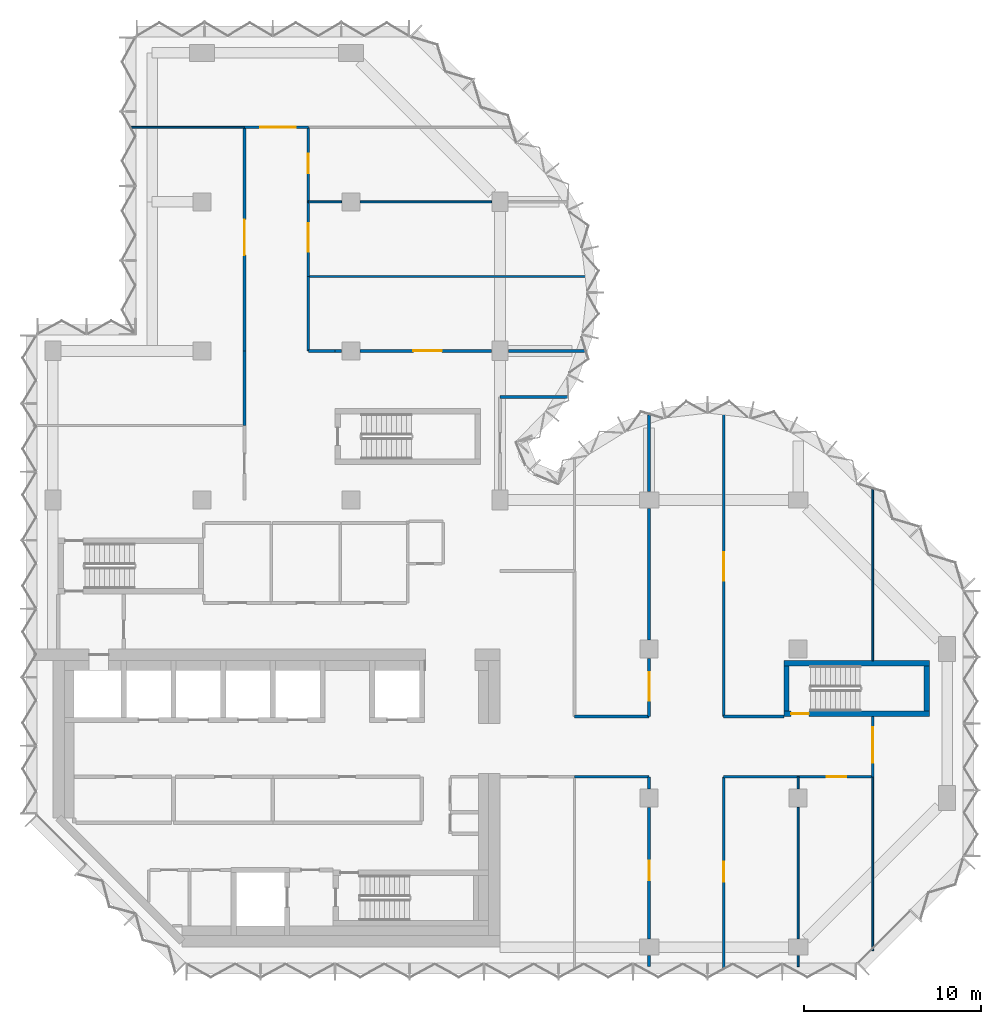
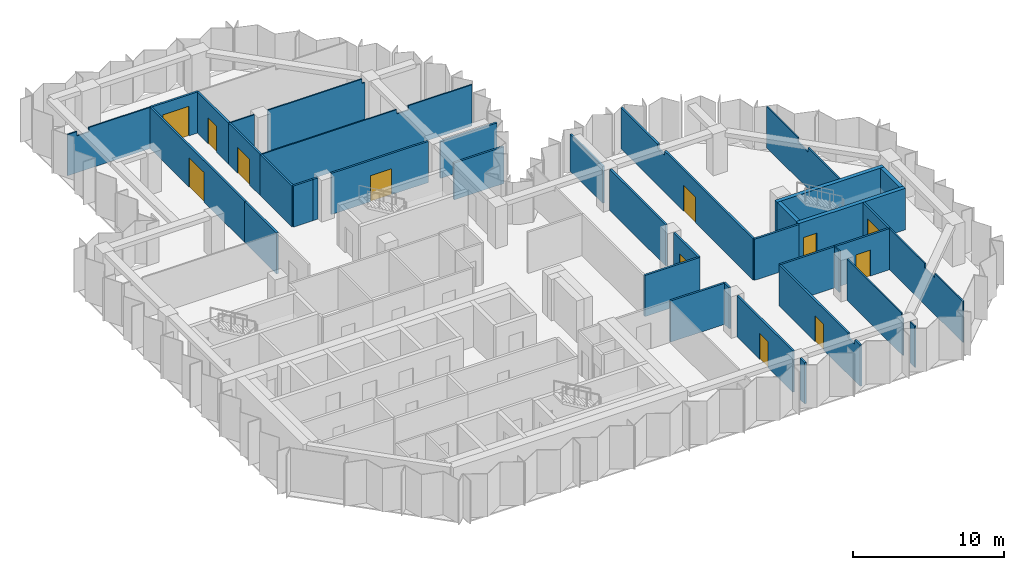
# One storey, part 7 of 10: 38 walls, 12 doors, 12 openings.
"""IFC4 building model written with IfcOpenShell, lengths in metres."""

from ifc_helpers import new_model, si_unit, direction, frame, frame_2d, origin, place, context, subcontext, project, spatial, polyline, rectangle, outline, extrude, material, layer, layer_set, type_object, element, fill, save


model = new_model("IFC4")

# Units and contexts
model_context = context("Model", 3, precision=1e-05, world=origin(), true_north=direction((0.0, 1.0)))
body_context = subcontext(model_context, "Body", "Model", "MODEL_VIEW")
ifc_project = project(units=[si_unit("LENGTHUNIT", "METRE"), si_unit("AREAUNIT", "SQUARE_METRE"), si_unit("VOLUMEUNIT", "CUBIC_METRE"), si_unit("PLANEANGLEUNIT", "RADIAN"), si_unit("MASSUNIT", "GRAM", prefix="KILO")], contexts=[model_context])

# Site, building, storey
site_placement = place(None, origin())
site = spatial("IfcSite", under=ifc_project, at=site_placement, CompositionType="ELEMENT")
building_placement = place(site_placement, origin())
building = spatial("IfcBuilding", under=site, at=building_placement, Name="Brevane Broadcast Tower", CompositionType="ELEMENT")
storey_placement = place(building_placement, frame((0.0, 0.0, 195.60009765625)))
storey = spatial("IfcBuildingStorey", under=building, at=storey_placement, Name="L49", CompositionType="ELEMENT", Elevation=195.60009765625)

# Wall, opening, door
ifc_material_1 = material(Name="Concrete C60/75", Category="concrete")
ifc_layer_1 = layer(ifc_material_1, 0.300048828125)
ifc_layer_set_1 = layer_set([ifc_layer_1], Name="Core wall 300 mm C60/75")
wall_type_1 = type_object("IfcWallType", Name="Core wall 300 mm C60/75", PredefinedType="SHEAR", material=ifc_layer_set_1)
wall_1_placement = place(storey_placement, frame((49.39990234375, 13.14990234375, 0.0), z_axis=(0.0, 0.0, 1.0), x_axis=(-1.0, 0.0, 0.0)))
wall_1 = element("IfcWall", 1, at=wall_1_placement, inside=storey, type_object=wall_type_1, Name="L49 stair wall ST-4-S", PredefinedType="SHEAR", context=body_context, shape_type="SweptSolid", body=[
    extrude(rectangle(XDim=8.199951171875, YDim=0.300048828125, at=frame_2d((4.10009765625, 0.0))), origin(), (0.0, 0.0, 1.0), 3.349853515625),
])
opening_1_placement = place(wall_1_placement, frame((6.800048828125, 0.0, 0.0)))
opening_1 = element("IfcOpeningElement", 2, at=opening_1_placement, cuts=wall_1, Name="Opening L49-K13", PredefinedType="OPENING", context=body_context, shape_type="SweptSolid", body=[
    extrude(rectangle(XDim=1.0, YDim=2.10009765625, at=frame_2d((0.5, 1.050048828125))), frame((0.0, 0.159912109375, 0.0), z_axis=(0.0, -1.0, 0.0), x_axis=(1.0, 0.0, 0.0)), (0.0, 0.0, 1.0), 0.320068359375),
])
ifc_material_2 = material(Name="Steel", Category="steel")
door_type_1 = type_object("IfcDoorType", Name="Stair door 1000 x 2100", OperationType="SINGLE_SWING_LEFT", PredefinedType="DOOR", material=ifc_material_2)
door_1_placement = place(opening_1_placement, origin())
door_1 = element("IfcDoor", 3, at=door_1_placement, inside=storey, type_object=door_type_1, Name="Door L49-K13", OperationType="SINGLE_SWING_LEFT", OverallHeight=2.10009765625, OverallWidth=1.0, PredefinedType="DOOR", context=body_context, shape_type="SweptSolid", body=[
    extrude(rectangle(XDim=1.0, YDim=2.10009765625, at=frame_2d((0.5, 1.050048828125))), frame((0.0, 0.02490234375, 0.0), z_axis=(0.0, -1.0, 0.0), x_axis=(1.0, 0.0, 0.0)), (0.0, 0.0, 1.0), 0.050048828125),
])
fill(opening_1, door_1)

# Walls
wall_2_placement = place(storey_placement, frame((41.199951171875, 16.0, 0.0), z_axis=(0.0, 0.0, 1.0), x_axis=(1.0, 0.0, 0.0)))
element("IfcWall", 4, at=wall_2_placement, inside=storey, type_object=wall_type_1, Name="L49 stair wall ST-4-N", PredefinedType="SHEAR", context=body_context, shape_type="SweptSolid", body=[
    extrude(rectangle(XDim=8.199951171875, YDim=0.300048828125, at=frame_2d((4.10009765625, 0.0))), origin(), (0.0, 0.0, 1.0), 3.349853515625),
])
for number, where, z_axis, x_axis, name in (
    (5, (41.35009765625, 13.300048828125, 0.0), (0.0, 0.0, 1.0), (0.0, 1.0, 0.0), "L49 stair wall ST-4-W"),
    (6, (49.25, 13.300048828125, 0.0), (0.0, 0.0, 1.0), (0.0, 1.0, 0.0), "L49 stair wall ST-4-E"),
):
    element("IfcWall", number, at=place(storey_placement, frame(where, z_axis=z_axis, x_axis=x_axis)), inside=storey, type_object=wall_type_1, Name=name, PredefinedType="SHEAR", context=body_context, shape_type="SweptSolid", body=[
        extrude(rectangle(XDim=2.550048828125, YDim=0.300048828125, at=frame_2d((1.27490234375, 0.0))), origin(), (0.0, 0.0, 1.0), 3.349853515625),
    ])
ifc_material_3 = material(Name="Gypsum board partition")
ifc_layer_2 = layer(ifc_material_3, 0.10009765625)
ifc_layer_set_2 = layer_set([ifc_layer_2], Name="PARTITION 100 STUD")
wall_type_2 = type_object("IfcWallType", Name="PARTITION 100 STUD", PredefinedType="PARTITIONING", material=ifc_layer_set_2)
wall_3_placement = place(storey_placement, frame((46.199951171875, -0.199951171875, 0.0), z_axis=(0.0, 0.0, 1.0), x_axis=(0.0, 1.0, 0.0)))
element("IfcWall", 7, at=wall_3_placement, inside=storey, type_object=wall_type_2, Name="Partition G15-013", PredefinedType="PARTITIONING", context=body_context, shape_type="SweptSolid", body=[
    extrude(outline(polyline([(0.0, 0.0), (9.800048828125, 0.0), (9.800048828125, 3.329833984375), (5.065673828125, 3.329833984375), (5.063720703125, 2.97998046875), (3.736328125, 2.97998046875), (3.734375, 3.329833984375), (0.0, 3.329833984375), (0.0, 0.0)])), frame((0.0, 0.050048828125, 0.0), z_axis=(0.0, -1.0, 0.0), x_axis=(1.0, 0.0, 0.0)), (0.0, 0.0, 1.0), 0.10009765625),
])
wall_4_placement = place(storey_placement, frame((46.199951171875, 16.14990234375, 0.0), z_axis=(0.0, 0.0, 1.0), x_axis=(0.0, 1.0, 0.0)))
element("IfcWall", 8, at=wall_4_placement, inside=storey, type_object=wall_type_2, Name="Partition G15-014", PredefinedType="PARTITIONING", context=body_context, shape_type="SweptSolid", body=[
    extrude(outline(polyline([(0.0, 0.0), (9.655517578125, 0.0), (9.655517578125, 3.329833984375), (9.25, 3.329833984375), (5.515625, 3.329833984375), (5.513671875, 2.97998046875), (4.186279296875, 2.97998046875), (4.184326171875, 3.329833984375), (0.0, 3.329833984375), (0.0, 0.0)])), frame((0.0, 0.050048828125, 0.0), z_axis=(0.0, -1.0, 0.0), x_axis=(1.0, 0.0, 0.0)), (0.0, 0.0, 1.0), 0.10009765625),
])
wall_5_placement = place(storey_placement, frame((42.0, 9.60009765625, 0.0), z_axis=(0.0, 0.0, 1.0), x_axis=(0.0, -1.0, 0.0)))
element("IfcWall", 9, at=wall_5_placement, inside=storey, type_object=wall_type_2, Name="Partition G15-020", PredefinedType="PARTITIONING", context=body_context, shape_type="SweptSolid", body=[
    extrude(rectangle(XDim=0.68017578125, YDim=0.10009765625, at=frame_2d((0.340087890625, 0.0))), origin(), (0.0, 0.0, 1.0), 3.329833984375),
])
wall_6_placement = place(storey_placement, frame((42.0, 7.8798828125, 0.0), z_axis=(0.0, 0.0, 1.0), x_axis=(0.0, -1.0, 0.0)))
element("IfcWall", 10, at=wall_6_placement, inside=storey, type_object=wall_type_2, Name="Partition G15-021", PredefinedType="PARTITIONING", context=body_context, shape_type="SweptSolid", body=[
    extrude(outline(polyline([(0.0, 0.0), (7.409912109375, 0.0), (7.409912109375, 2.97998046875), (7.21630859375, 2.97998046875), (7.21435546875, 3.329833984375), (0.0, 3.329833984375), (0.0, 0.0)])), frame((0.0, 0.050048828125, 0.0), z_axis=(0.0, -1.0, 0.0), x_axis=(1.0, 0.0, 0.0)), (0.0, 0.0, 1.0), 0.10009765625),
])
wall_7_placement = place(storey_placement, frame((42.0, -0.469970703125, 0.0), z_axis=(0.0, 0.0, 1.0), x_axis=(0.0, -1.0, 0.0)))
element("IfcWall", 11, at=wall_7_placement, inside=storey, type_object=wall_type_2, Name="Partition G15-022", PredefinedType="PARTITIONING", context=body_context, shape_type="SweptSolid", body=[
    extrude(rectangle(XDim=0.630126953125, YDim=0.10009765625, at=frame_2d((0.31494140625, 0.0))), origin(), (0.0, 0.0, 1.0), 3.329833984375),
])
wall_8_placement = place(storey_placement, frame((10.800048828125, 46.199951171875, 0.0), z_axis=(0.0, 0.0, 1.0), x_axis=(-1.0, 0.0, 0.0)))
element("IfcWall", 12, at=wall_8_placement, inside=storey, type_object=wall_type_2, Name="Partition G15-038", PredefinedType="PARTITIONING", context=body_context, shape_type="SweptSolid", body=[
    extrude(outline(polyline([(0.0, 0.0), (6.3740234375, 0.0), (6.3740234375, 3.329833984375), (6.300048828125, 3.329833984375), (5.64990234375, 3.329833984375), (5.64794921875, 2.97998046875), (4.751953125, 2.97998046875), (4.75, 3.329833984375), (0.0, 3.329833984375), (0.0, 0.0)])), frame((0.0, 0.050048828125, 0.0), z_axis=(0.0, -1.0, 0.0), x_axis=(1.0, 0.0, 0.0)), (0.0, 0.0, 1.0), 0.10009765625),
])
wall_9_placement = place(storey_placement, frame((14.39990234375, 37.800048828125, 0.0), z_axis=(0.0, 0.0, 1.0), x_axis=(1.0, 0.0, 0.0)))
element("IfcWall", 13, at=wall_9_placement, inside=storey, type_object=wall_type_2, Name="Partition G15-041", PredefinedType="PARTITIONING", context=body_context, shape_type="SweptSolid", body=[
    extrude(outline(polyline([(0.0, 0.0), (16.1259765625, 0.0), (16.1259765625, 3.329833984375), (15.8427734375, 3.329833984375), (11.25, 3.329833984375), (11.248046875, 2.97998046875), (10.35205078125, 2.97998046875), (10.35009765625, 3.329833984375), (0.0, 3.329833984375), (0.0, 0.0)])), frame((0.0, 0.050048828125, 0.0), z_axis=(0.0, -1.0, 0.0), x_axis=(1.0, 0.0, 0.0)), (0.0, 0.0, 1.0), 0.10009765625),
])
wall_10_placement = place(storey_placement, frame((14.39990234375, 42.0, 0.0), z_axis=(0.0, 0.0, 1.0), x_axis=(1.0, 0.0, 0.0)))
element("IfcWall", 14, at=wall_10_placement, inside=storey, type_object=wall_type_2, Name="Partition G15-042", PredefinedType="PARTITIONING", context=body_context, shape_type="SweptSolid", body=[
    extrude(rectangle(XDim=1.880126953125, YDim=0.10009765625, at=frame_2d((0.93994140625, 0.0))), origin(), (0.0, 0.0, 1.0), 3.329833984375),
])
wall_11_placement = place(storey_placement, frame((17.320068359375, 42.0, 0.0), z_axis=(0.0, 0.0, 1.0), x_axis=(1.0, 0.0, 0.0)))
element("IfcWall", 15, at=wall_11_placement, inside=storey, type_object=wall_type_2, Name="Partition G15-043", PredefinedType="PARTITIONING", context=body_context, shape_type="SweptSolid", body=[
    extrude(outline(polyline([(0.0, 0.0), (7.409912109375, 0.0), (7.409912109375, 2.97998046875), (7.21630859375, 2.97998046875), (7.21435546875, 3.329833984375), (0.0, 3.329833984375), (0.0, 0.0)])), frame((0.0, 0.050048828125, 0.0), z_axis=(0.0, -1.0, 0.0), x_axis=(1.0, 0.0, 0.0)), (0.0, 0.0, 1.0), 0.10009765625),
])
ifc_layer_3 = layer(ifc_material_3, 0.14990234375)
ifc_layer_set_3 = layer_set([ifc_layer_3], Name="PARTITION 150 EI 60")
wall_type_3 = type_object("IfcWallType", Name="PARTITION 150 EI 60", PredefinedType="PARTITIONING", material=ifc_layer_set_3)
wall_12_placement = place(storey_placement, frame((25.199951171875, 31.0, 0.0), z_axis=(0.0, 0.0, 1.0), x_axis=(1.0, 0.0, 0.0)))
element("IfcWall", 16, at=wall_12_placement, inside=storey, type_object=wall_type_3, Name="Partition G15-006", PredefinedType="PARTITIONING", context=body_context, shape_type="SweptSolid", body=[
    extrude(rectangle(XDim=3.80615234375, YDim=0.14990234375, at=frame_2d((1.903076171875, 0.0))), origin(), (0.0, 0.0, 1.0), 2.97998046875),
])

# Wall, opening, door
wall_13_placement = place(storey_placement, frame((46.199951171875, 13.0, 0.0), z_axis=(0.0, 0.0, 1.0), x_axis=(0.0, -1.0, 0.0)))
wall_13 = element("IfcWall", 17, at=wall_13_placement, inside=storey, type_object=wall_type_3, Name="Partition G15-007", PredefinedType="PARTITIONING", context=body_context, shape_type="SweptSolid", body=[
    extrude(rectangle(XDim=3.39990234375, YDim=0.14990234375, at=frame_2d((1.699951171875, 0.0))), origin(), (0.0, 0.0, 1.0), 3.329833984375),
])
opening_2_placement = place(wall_13_placement, frame((0.60009765625, 0.0, 0.0)))
opening_2 = element("IfcOpeningElement", 18, at=opening_2_placement, cuts=wall_13, Name="Opening D24-002", PredefinedType="OPENING", context=body_context, shape_type="SweptSolid", body=[
    extrude(rectangle(XDim=2.0, YDim=2.39990234375, at=frame_2d((1.0, 1.199951171875))), frame((0.0, 0.0849609375, 0.0), z_axis=(0.0, -1.0, 0.0), x_axis=(1.0, 0.0, 0.0)), (0.0, 0.0, 1.0), 0.169921875),
])
ifc_material_4 = material(Name="Fire-rated timber door leaf", Category="wood")
door_type_2 = type_object("IfcDoorType", Name="DOOR DOUBLE 2000 FD30S", OperationType="DOUBLE_DOOR_SINGLE_SWING", PredefinedType="DOOR", material=ifc_material_4)
door_2_placement = place(opening_2_placement, origin())
door_2 = element("IfcDoor", 19, at=door_2_placement, inside=storey, type_object=door_type_2, Name="Door D24-002", OperationType="DOUBLE_DOOR_SINGLE_SWING", OverallHeight=2.39990234375, OverallWidth=2.0, PredefinedType="DOOR", context=body_context, shape_type="SweptSolid", body=[
    extrude(rectangle(XDim=2.0, YDim=2.39990234375, at=frame_2d((1.0, 1.199951171875))), frame((0.0, 0.02490234375, 0.0), z_axis=(0.0, -1.0, 0.0), x_axis=(1.0, 0.0, 0.0)), (0.0, 0.0, 1.0), 0.050048828125),
])
fill(opening_2, door_2)

# Walls
wall_14_placement = place(storey_placement, frame((33.60009765625, 9.60009765625, 0.0), z_axis=(0.0, 0.0, 1.0), x_axis=(-1.0, 0.0, 0.0)))
element("IfcWall", 20, at=wall_14_placement, inside=storey, type_object=wall_type_3, Name="Partition G15-008", PredefinedType="PARTITIONING", context=body_context, shape_type="SweptSolid", body=[
    extrude(rectangle(XDim=4.2001953125, YDim=0.14990234375, at=frame_2d((2.10009765625, 0.0))), origin(), (0.0, 0.0, 1.0), 3.329833984375),
])
wall_15_placement = place(storey_placement, frame((42.0, 9.60009765625, 0.0), z_axis=(0.0, 0.0, 1.0), x_axis=(-1.0, 0.0, 0.0)))
element("IfcWall", 21, at=wall_15_placement, inside=storey, type_object=wall_type_3, Name="Partition G15-009", PredefinedType="PARTITIONING", context=body_context, shape_type="SweptSolid", body=[
    extrude(rectangle(XDim=4.199951171875, YDim=0.14990234375, at=frame_2d((2.10009765625, 0.0))), origin(), (0.0, 0.0, 1.0), 3.329833984375),
])

# Wall, opening, door
wall_16_placement = place(storey_placement, frame((46.199951171875, 9.60009765625, 0.0), z_axis=(0.0, 0.0, 1.0), x_axis=(-1.0, 0.0, 0.0)))
wall_16 = element("IfcWall", 22, at=wall_16_placement, inside=storey, type_object=wall_type_3, Name="Partition G15-010", PredefinedType="PARTITIONING", context=body_context, shape_type="SweptSolid", body=[
    extrude(rectangle(XDim=4.199951171875, YDim=0.14990234375, at=frame_2d((2.10009765625, 0.0))), origin(), (0.0, 0.0, 1.0), 3.329833984375),
])
opening_3_placement = place(wall_16_placement, frame((1.5, 0.0, 0.0)))
opening_3 = element("IfcOpeningElement", 23, at=opening_3_placement, cuts=wall_16, Name="Opening D24-006", PredefinedType="OPENING", context=body_context, shape_type="SweptSolid", body=[
    extrude(rectangle(XDim=1.10009765625, YDim=2.10009765625, at=frame_2d((0.550048828125, 1.050048828125))), frame((0.0, 0.0849609375, 0.0), z_axis=(0.0, -1.0, 0.0), x_axis=(1.0, 0.0, 0.0)), (0.0, 0.0, 1.0), 0.169921875),
])
door_type_3 = type_object("IfcDoorType", Name="DOOR SINGLE 1100 FD30S", OperationType="SINGLE_SWING_LEFT", PredefinedType="DOOR", material=ifc_material_4)
door_3_placement = place(opening_3_placement, origin())
door_3 = element("IfcDoor", 24, at=door_3_placement, inside=storey, type_object=door_type_3, Name="Door D24-006", OperationType="SINGLE_SWING_LEFT", OverallHeight=2.10009765625, OverallWidth=1.10009765625, PredefinedType="DOOR", context=body_context, shape_type="SweptSolid", body=[
    extrude(rectangle(XDim=1.10009765625, YDim=2.10009765625, at=frame_2d((0.550048828125, 1.050048828125))), frame((0.0, 0.02490234375, 0.0), z_axis=(0.0, -1.0, 0.0), x_axis=(1.0, 0.0, 0.0)), (0.0, 0.0, 1.0), 0.050048828125),
])
fill(opening_3, door_3)

# Walls
wall_17_placement = place(storey_placement, frame((29.39990234375, 13.0, 0.0), z_axis=(0.0, 0.0, 1.0), x_axis=(1.0, 0.0, 0.0)))
element("IfcWall", 25, at=wall_17_placement, inside=storey, type_object=wall_type_3, Name="Partition G15-011", PredefinedType="PARTITIONING", context=body_context, shape_type="SweptSolid", body=[
    extrude(rectangle(XDim=4.2001953125, YDim=0.14990234375, at=frame_2d((2.10009765625, 0.0))), origin(), (0.0, 0.0, 1.0), 3.329833984375),
])
wall_18_placement = place(storey_placement, frame((37.800048828125, 13.0, 0.0), z_axis=(0.0, 0.0, 1.0), x_axis=(1.0, 0.0, 0.0)))
element("IfcWall", 26, at=wall_18_placement, inside=storey, type_object=wall_type_3, Name="Partition G15-012", PredefinedType="PARTITIONING", context=body_context, shape_type="SweptSolid", body=[
    extrude(rectangle(XDim=3.39990234375, YDim=0.14990234375, at=frame_2d((1.699951171875, 0.0))), origin(), (0.0, 0.0, 1.0), 3.329833984375),
])
wall_19_placement = place(storey_placement, frame((33.60009765625, -1.10009765625, 0.0), z_axis=(0.0, 0.0, 1.0), x_axis=(0.0, 1.0, 0.0)))
element("IfcWall", 27, at=wall_19_placement, inside=storey, type_object=wall_type_3, Name="Partition G15-015", PredefinedType="PARTITIONING", context=body_context, shape_type="SweptSolid", body=[
    extrude(rectangle(XDim=0.630126953125, YDim=0.14990234375, at=frame_2d((0.31494140625, 0.0))), origin(), (0.0, 0.0, 1.0), 3.329833984375),
])

# Wall, opening, door
wall_20_placement = place(storey_placement, frame((33.60009765625, 0.469970703125, 0.0), z_axis=(0.0, 0.0, 1.0), x_axis=(0.0, 1.0, 0.0)))
wall_20 = element("IfcWall", 28, at=wall_20_placement, inside=storey, type_object=wall_type_3, Name="Partition G15-016", PredefinedType="PARTITIONING", context=body_context, shape_type="SweptSolid", body=[
    extrude(rectangle(XDim=7.409912109375, YDim=0.14990234375, at=frame_2d((3.705078125, 0.0))), origin(), (0.0, 0.0, 1.0), 3.329833984375),
])
opening_4_placement = place(wall_20_placement, frame((3.300048828125, 0.0, 0.0)))
opening_4 = element("IfcOpeningElement", 29, at=opening_4_placement, cuts=wall_20, Name="Opening D24-004", PredefinedType="OPENING", context=body_context, shape_type="SweptSolid", body=[
    extrude(rectangle(XDim=1.10009765625, YDim=2.10009765625, at=frame_2d((0.550048828125, 1.050048828125))), frame((0.0, 0.0849609375, 0.0), z_axis=(0.0, -1.0, 0.0), x_axis=(1.0, 0.0, 0.0)), (0.0, 0.0, 1.0), 0.169921875),
])
door_4_placement = place(opening_4_placement, origin())
door_4 = element("IfcDoor", 30, at=door_4_placement, inside=storey, type_object=door_type_3, Name="Door D24-004", OperationType="SINGLE_SWING_LEFT", OverallHeight=2.10009765625, OverallWidth=1.10009765625, PredefinedType="DOOR", context=body_context, shape_type="SweptSolid", body=[
    extrude(rectangle(XDim=1.10009765625, YDim=2.10009765625, at=frame_2d((0.550048828125, 1.050048828125))), frame((0.0, 0.02490234375, 0.0), z_axis=(0.0, -1.0, 0.0), x_axis=(1.0, 0.0, 0.0)), (0.0, 0.0, 1.0), 0.050048828125),
])
fill(opening_4, door_4)

# Wall
wall_21_placement = place(storey_placement, frame((33.60009765625, 8.919921875, 0.0), z_axis=(0.0, 0.0, 1.0), x_axis=(0.0, 1.0, 0.0)))
element("IfcWall", 31, at=wall_21_placement, inside=storey, type_object=wall_type_3, Name="Partition G15-017", PredefinedType="PARTITIONING", context=body_context, shape_type="SweptSolid", body=[
    extrude(rectangle(XDim=0.68017578125, YDim=0.14990234375, at=frame_2d((0.340087890625, 0.0))), origin(), (0.0, 0.0, 1.0), 3.329833984375),
])

# Wall, opening, door
wall_22_placement = place(storey_placement, frame((37.800048828125, 9.60009765625, 0.0), z_axis=(0.0, 0.0, 1.0), x_axis=(0.0, -1.0, 0.0)))
wall_22 = element("IfcWall", 32, at=wall_22_placement, inside=storey, type_object=wall_type_3, Name="Partition G15-018", PredefinedType="PARTITIONING", context=body_context, shape_type="SweptSolid", body=[
    extrude(outline(polyline([(0.0, 0.0), (10.774169921875, 0.0), (10.77392578125, 3.329833984375), (10.699951171875, 3.329833984375), (10.050048828125, 3.329833984375), (10.048095703125, 2.97998046875), (9.152099609375, 2.97998046875), (9.14990234375, 3.329833984375), (0.0, 3.329833984375), (0.0, 0.0)])), frame((0.0, 0.074951171875, 0.0), z_axis=(0.0, -1.0, 0.0), x_axis=(1.0, 0.0, 0.0)), (0.0, 0.0, 1.0), 0.14990234375),
])
opening_5_placement = place(wall_22_placement, frame((4.800048828125, 0.0, 0.0)))
opening_5 = element("IfcOpeningElement", 33, at=opening_5_placement, cuts=wall_22, Name="Opening D24-005", PredefinedType="OPENING", context=body_context, shape_type="SweptSolid", body=[
    extrude(rectangle(XDim=1.10009765625, YDim=2.10009765625, at=frame_2d((0.550048828125, 1.050048828125))), frame((0.0, 0.0849609375, 0.0), z_axis=(0.0, -1.0, 0.0), x_axis=(1.0, 0.0, 0.0)), (0.0, 0.0, 1.0), 0.169921875),
])
door_5_placement = place(opening_5_placement, origin())
door_5 = element("IfcDoor", 34, at=door_5_placement, inside=storey, type_object=door_type_3, Name="Door D24-005", OperationType="SINGLE_SWING_LEFT", OverallHeight=2.10009765625, OverallWidth=1.10009765625, PredefinedType="DOOR", context=body_context, shape_type="SweptSolid", body=[
    extrude(rectangle(XDim=1.10009765625, YDim=2.10009765625, at=frame_2d((0.550048828125, 1.050048828125))), frame((0.0, 0.02490234375, 0.0), z_axis=(0.0, -1.0, 0.0), x_axis=(1.0, 0.0, 0.0)), (0.0, 0.0, 1.0), 0.050048828125),
])
fill(opening_5, door_5)

wall_23_placement = place(storey_placement, frame((33.60009765625, 13.0, 0.0), z_axis=(0.0, 0.0, 1.0), x_axis=(0.0, 1.0, 0.0)))
wall_23 = element("IfcWall", 35, at=wall_23_placement, inside=storey, type_object=wall_type_3, Name="Partition G15-023", PredefinedType="PARTITIONING", context=body_context, shape_type="SweptSolid", body=[
    extrude(rectangle(XDim=3.280029296875, YDim=0.14990234375, at=frame_2d((1.64013671875, 0.0))), origin(), (0.0, 0.0, 1.0), 3.329833984375),
])
opening_6_placement = place(wall_23_placement, frame((0.89990234375, 0.0, 0.0)))
opening_6 = element("IfcOpeningElement", 36, at=opening_6_placement, cuts=wall_23, Name="Opening D24-007", PredefinedType="OPENING", context=body_context, shape_type="SweptSolid", body=[
    extrude(rectangle(XDim=1.60009765625, YDim=2.10009765625, at=frame_2d((0.800048828125, 1.050048828125))), frame((0.0, 0.0849609375, 0.0), z_axis=(0.0, -1.0, 0.0), x_axis=(1.0, 0.0, 0.0)), (0.0, 0.0, 1.0), 0.169921875),
])
door_type_4 = type_object("IfcDoorType", Name="DOOR DOUBLE 1600 FD30S", OperationType="DOUBLE_DOOR_SINGLE_SWING", PredefinedType="DOOR", material=ifc_material_4)
door_6_placement = place(opening_6_placement, origin())
door_6 = element("IfcDoor", 37, at=door_6_placement, inside=storey, type_object=door_type_4, Name="Door D24-007", OperationType="DOUBLE_DOOR_SINGLE_SWING", OverallHeight=2.10009765625, OverallWidth=1.60009765625, PredefinedType="DOOR", context=body_context, shape_type="SweptSolid", body=[
    extrude(rectangle(XDim=1.60009765625, YDim=2.10009765625, at=frame_2d((0.800048828125, 1.050048828125))), frame((0.0, 0.02490234375, 0.0), z_axis=(0.0, -1.0, 0.0), x_axis=(1.0, 0.0, 0.0)), (0.0, 0.0, 1.0), 0.050048828125),
])
fill(opening_6, door_6)

# Walls
wall_24_placement = place(storey_placement, frame((33.60009765625, 17.320068359375, 0.0), z_axis=(0.0, 0.0, 1.0), x_axis=(0.0, 1.0, 0.0)))
element("IfcWall", 38, at=wall_24_placement, inside=storey, type_object=wall_type_3, Name="Partition G15-024", PredefinedType="PARTITIONING", context=body_context, shape_type="SweptSolid", body=[
    extrude(rectangle(XDim=7.409912109375, YDim=0.14990234375, at=frame_2d((3.705078125, 0.0))), origin(), (0.0, 0.0, 1.0), 3.329833984375),
])
wall_25_placement = place(storey_placement, frame((33.60009765625, 25.669921875, 0.0), z_axis=(0.0, 0.0, 1.0), x_axis=(0.0, 1.0, 0.0)))
element("IfcWall", 39, at=wall_25_placement, inside=storey, type_object=wall_type_3, Name="Partition G15-025", PredefinedType="PARTITIONING", context=body_context, shape_type="SweptSolid", body=[
    extrude(rectangle(XDim=4.318359375, YDim=0.14990234375, at=frame_2d((2.1591796875, 0.0))), origin(), (0.0, 0.0, 1.0), 2.97998046875),
])

# Wall, opening, door
wall_26_placement = place(storey_placement, frame((37.800048828125, 30.52587890625, 0.0), z_axis=(0.0, 0.0, 1.0), x_axis=(0.0, -1.0, 0.0)))
wall_26 = element("IfcWall", 40, at=wall_26_placement, inside=storey, type_object=wall_type_3, Name="Partition G15-026", PredefinedType="PARTITIONING", context=body_context, shape_type="SweptSolid", body=[
    extrude(outline(polyline([(0.0, 0.0), (17.52587890625, 0.0), (17.52587890625, 3.329833984375), (5.77587890625, 3.329833984375), (5.77392578125, 2.97998046875), (4.8779296875, 2.97998046875), (4.8759765625, 3.329833984375), (0.283203125, 3.329833984375), (0.0, 3.329833984375), (0.0, 0.0)])), frame((0.0, 0.074951171875, 0.0), z_axis=(0.0, -1.0, 0.0), x_axis=(1.0, 0.0, 0.0)), (0.0, 0.0, 1.0), 0.14990234375),
])
opening_7_placement = place(wall_26_placement, frame((8.283203125, 0.0, 0.0)))
opening_7 = element("IfcOpeningElement", 41, at=opening_7_placement, cuts=wall_26, Name="Opening D24-008", PredefinedType="OPENING", context=body_context, shape_type="SweptSolid", body=[
    extrude(rectangle(XDim=1.60009765625, YDim=2.10009765625, at=frame_2d((0.800048828125, 1.050048828125))), frame((0.0, 0.0849609375, 0.0), z_axis=(0.0, -1.0, 0.0), x_axis=(1.0, 0.0, 0.0)), (0.0, 0.0, 1.0), 0.169921875),
])
door_7_placement = place(opening_7_placement, origin())
door_7 = element("IfcDoor", 42, at=door_7_placement, inside=storey, type_object=door_type_4, Name="Door D24-008", OperationType="DOUBLE_DOOR_SINGLE_SWING", OverallHeight=2.10009765625, OverallWidth=1.60009765625, PredefinedType="DOOR", context=body_context, shape_type="SweptSolid", body=[
    extrude(rectangle(XDim=1.60009765625, YDim=2.10009765625, at=frame_2d((0.800048828125, 1.050048828125))), frame((0.0, 0.02490234375, 0.0), z_axis=(0.0, -1.0, 0.0), x_axis=(1.0, 0.0, 0.0)), (0.0, 0.0, 1.0), 0.050048828125),
])
fill(opening_7, door_7)

# Walls
wall_27_placement = place(storey_placement, frame((10.800048828125, 29.39990234375, 0.0), z_axis=(0.0, 0.0, 1.0), x_axis=(0.0, 1.0, 0.0)))
element("IfcWall", 43, at=wall_27_placement, inside=storey, type_object=wall_type_3, Name="Partition G15-028", PredefinedType="PARTITIONING", context=body_context, shape_type="SweptSolid", body=[
    extrude(rectangle(XDim=4.2001953125, YDim=0.14990234375, at=frame_2d((2.10009765625, 0.0))), origin(), (0.0, 0.0, 1.0), 3.329833984375),
])
wall_28_placement = place(storey_placement, frame((14.39990234375, 33.60009765625, 0.0), z_axis=(0.0, 0.0, 1.0), x_axis=(1.0, 0.0, 0.0)))
element("IfcWall", 44, at=wall_28_placement, inside=storey, type_object=wall_type_3, Name="Partition G15-029", PredefinedType="PARTITIONING", context=body_context, shape_type="SweptSolid", body=[
    extrude(rectangle(XDim=1.5, YDim=0.14990234375, at=frame_2d((0.75, 0.0))), origin(), (0.0, 0.0, 1.0), 3.329833984375),
])
wall_29_placement = place(storey_placement, frame((15.89990234375, 33.60009765625, 0.0), z_axis=(0.0, 0.0, 1.0), x_axis=(1.0, 0.0, 0.0)))
element("IfcWall", 45, at=wall_29_placement, inside=storey, type_object=wall_type_3, Name="Partition G15-030", PredefinedType="PARTITIONING", context=body_context, shape_type="SweptSolid", body=[
    extrude(rectangle(XDim=0.380126953125, YDim=0.14990234375, at=frame_2d((0.18994140625, 0.0))), origin(), (0.0, 0.0, 1.0), 3.329833984375),
])

# Wall, opening, door
wall_30_placement = place(storey_placement, frame((17.320068359375, 33.60009765625, 0.0), z_axis=(0.0, 0.0, 1.0), x_axis=(1.0, 0.0, 0.0)))
wall_30 = element("IfcWall", 46, at=wall_30_placement, inside=storey, type_object=wall_type_3, Name="Partition G15-031", PredefinedType="PARTITIONING", context=body_context, shape_type="SweptSolid", body=[
    extrude(rectangle(XDim=7.409912109375, YDim=0.14990234375, at=frame_2d((3.705078125, 0.0))), origin(), (0.0, 0.0, 1.0), 3.329833984375),
])
opening_8_placement = place(wall_30_placement, frame((3.0, 0.0, 0.0)))
opening_8 = element("IfcOpeningElement", 47, at=opening_8_placement, cuts=wall_30, Name="Opening D24-012", PredefinedType="OPENING", context=body_context, shape_type="SweptSolid", body=[
    extrude(rectangle(XDim=1.60009765625, YDim=2.10009765625, at=frame_2d((0.800048828125, 1.050048828125))), frame((0.0, 0.0849609375, 0.0), z_axis=(0.0, -1.0, 0.0), x_axis=(1.0, 0.0, 0.0)), (0.0, 0.0, 1.0), 0.169921875),
])
door_8_placement = place(opening_8_placement, origin())
door_8 = element("IfcDoor", 48, at=door_8_placement, inside=storey, type_object=door_type_4, Name="Door D24-012", OperationType="DOUBLE_DOOR_SINGLE_SWING", OverallHeight=2.10009765625, OverallWidth=1.60009765625, PredefinedType="DOOR", context=body_context, shape_type="SweptSolid", body=[
    extrude(rectangle(XDim=1.60009765625, YDim=2.10009765625, at=frame_2d((0.800048828125, 1.050048828125))), frame((0.0, 0.02490234375, 0.0), z_axis=(0.0, -1.0, 0.0), x_axis=(1.0, 0.0, 0.0)), (0.0, 0.0, 1.0), 0.050048828125),
])
fill(opening_8, door_8)

# Wall
wall_31_placement = place(storey_placement, frame((25.669921875, 33.60009765625, 0.0), z_axis=(0.0, 0.0, 1.0), x_axis=(1.0, 0.0, 0.0)))
element("IfcWall", 49, at=wall_31_placement, inside=storey, type_object=wall_type_3, Name="Partition G15-032", PredefinedType="PARTITIONING", context=body_context, shape_type="SweptSolid", body=[
    extrude(rectangle(XDim=4.318359375, YDim=0.14990234375, at=frame_2d((2.1591796875, 0.0))), origin(), (0.0, 0.0, 1.0), 2.97998046875),
])

# Wall, opening, door
wall_32_placement = place(storey_placement, frame((10.800048828125, 46.199951171875, 0.0), z_axis=(0.0, 0.0, 1.0), x_axis=(1.0, 0.0, 0.0)))
wall_32 = element("IfcWall", 50, at=wall_32_placement, inside=storey, type_object=wall_type_3, Name="Partition G15-033", PredefinedType="PARTITIONING", context=body_context, shape_type="SweptSolid", body=[
    extrude(rectangle(XDim=3.599853515625, YDim=0.14990234375, at=frame_2d((1.7998046875, 0.0))), origin(), (0.0, 0.0, 1.0), 3.329833984375),
])
opening_9_placement = place(wall_32_placement, frame((0.89990234375, 0.0, 0.0)))
opening_9 = element("IfcOpeningElement", 51, at=opening_9_placement, cuts=wall_32, Name="Opening D24-009", PredefinedType="OPENING", context=body_context, shape_type="SweptSolid", body=[
    extrude(rectangle(XDim=2.0, YDim=2.39990234375, at=frame_2d((1.0, 1.199951171875))), frame((0.0, 0.0849609375, 0.0), z_axis=(0.0, -1.0, 0.0), x_axis=(1.0, 0.0, 0.0)), (0.0, 0.0, 1.0), 0.169921875),
])
door_9_placement = place(opening_9_placement, origin())
door_9 = element("IfcDoor", 52, at=door_9_placement, inside=storey, type_object=door_type_2, Name="Door D24-009", OperationType="DOUBLE_DOOR_SINGLE_SWING", OverallHeight=2.39990234375, OverallWidth=2.0, PredefinedType="DOOR", context=body_context, shape_type="SweptSolid", body=[
    extrude(rectangle(XDim=2.0, YDim=2.39990234375, at=frame_2d((1.0, 1.199951171875))), frame((0.0, 0.02490234375, 0.0), z_axis=(0.0, -1.0, 0.0), x_axis=(1.0, 0.0, 0.0)), (0.0, 0.0, 1.0), 0.050048828125),
])
fill(opening_9, door_9)

wall_33_placement = place(storey_placement, frame((10.800048828125, 33.60009765625, 0.0), z_axis=(0.0, 0.0, 1.0), x_axis=(0.0, 1.0, 0.0)))
wall_33 = element("IfcWall", 53, at=wall_33_placement, inside=storey, type_object=wall_type_3, Name="Partition G15-034", PredefinedType="PARTITIONING", context=body_context, shape_type="SweptSolid", body=[
    extrude(rectangle(XDim=12.599853515625, YDim=0.14990234375, at=frame_2d((6.2998046875, 0.0))), origin(), (0.0, 0.0, 1.0), 3.329833984375),
])
opening_10_placement = place(wall_33_placement, frame((5.39990234375, 0.0, 0.0)))
opening_10 = element("IfcOpeningElement", 54, at=opening_10_placement, cuts=wall_33, Name="Opening D24-011", PredefinedType="OPENING", context=body_context, shape_type="SweptSolid", body=[
    extrude(rectangle(XDim=2.0, YDim=2.39990234375, at=frame_2d((1.0, 1.199951171875))), frame((0.0, 0.0849609375, 0.0), z_axis=(0.0, -1.0, 0.0), x_axis=(1.0, 0.0, 0.0)), (0.0, 0.0, 1.0), 0.169921875),
])
door_10_placement = place(opening_10_placement, origin())
door_10 = element("IfcDoor", 55, at=door_10_placement, inside=storey, type_object=door_type_2, Name="Door D24-011", OperationType="DOUBLE_DOOR_SINGLE_SWING", OverallHeight=2.39990234375, OverallWidth=2.0, PredefinedType="DOOR", context=body_context, shape_type="SweptSolid", body=[
    extrude(rectangle(XDim=2.0, YDim=2.39990234375, at=frame_2d((1.0, 1.199951171875))), frame((0.0, 0.02490234375, 0.0), z_axis=(0.0, -1.0, 0.0), x_axis=(1.0, 0.0, 0.0)), (0.0, 0.0, 1.0), 0.050048828125),
])
fill(opening_10, door_10)

# Wall
wall_34_placement = place(storey_placement, frame((14.39990234375, 37.800048828125, 0.0), z_axis=(0.0, 0.0, 1.0), x_axis=(0.0, -1.0, 0.0)))
element("IfcWall", 56, at=wall_34_placement, inside=storey, type_object=wall_type_3, Name="Partition G15-035", PredefinedType="PARTITIONING", context=body_context, shape_type="SweptSolid", body=[
    extrude(rectangle(XDim=4.199951171875, YDim=0.14990234375, at=frame_2d((2.10009765625, 0.0))), origin(), (0.0, 0.0, 1.0), 3.329833984375),
])

# Wall, opening, door
wall_35_placement = place(storey_placement, frame((14.39990234375, 42.0, 0.0), z_axis=(0.0, 0.0, 1.0), x_axis=(0.0, -1.0, 0.0)))
wall_35 = element("IfcWall", 57, at=wall_35_placement, inside=storey, type_object=wall_type_3, Name="Partition G15-036", PredefinedType="PARTITIONING", context=body_context, shape_type="SweptSolid", body=[
    extrude(rectangle(XDim=4.199951171875, YDim=0.14990234375, at=frame_2d((2.10009765625, 0.0))), origin(), (0.0, 0.0, 1.0), 3.329833984375),
])
opening_11_placement = place(wall_35_placement, frame((1.199951171875, 0.0, 0.0)))
opening_11 = element("IfcOpeningElement", 58, at=opening_11_placement, cuts=wall_35, Name="Opening D24-013", PredefinedType="OPENING", context=body_context, shape_type="SweptSolid", body=[
    extrude(rectangle(XDim=1.60009765625, YDim=2.10009765625, at=frame_2d((0.800048828125, 1.050048828125))), frame((0.0, 0.0849609375, 0.0), z_axis=(0.0, -1.0, 0.0), x_axis=(1.0, 0.0, 0.0)), (0.0, 0.0, 1.0), 0.169921875),
])
door_11_placement = place(opening_11_placement, origin())
door_11 = element("IfcDoor", 59, at=door_11_placement, inside=storey, type_object=door_type_4, Name="Door D24-013", OperationType="DOUBLE_DOOR_SINGLE_SWING", OverallHeight=2.10009765625, OverallWidth=1.60009765625, PredefinedType="DOOR", context=body_context, shape_type="SweptSolid", body=[
    extrude(rectangle(XDim=1.60009765625, YDim=2.10009765625, at=frame_2d((0.800048828125, 1.050048828125))), frame((0.0, 0.02490234375, 0.0), z_axis=(0.0, -1.0, 0.0), x_axis=(1.0, 0.0, 0.0)), (0.0, 0.0, 1.0), 0.050048828125),
])
fill(opening_11, door_11)

wall_36_placement = place(storey_placement, frame((14.39990234375, 46.199951171875, 0.0), z_axis=(0.0, 0.0, 1.0), x_axis=(0.0, -1.0, 0.0)))
wall_36 = element("IfcWall", 60, at=wall_36_placement, inside=storey, type_object=wall_type_3, Name="Partition G15-037", PredefinedType="PARTITIONING", context=body_context, shape_type="SweptSolid", body=[
    extrude(rectangle(XDim=4.199951171875, YDim=0.14990234375, at=frame_2d((2.10009765625, 0.0))), origin(), (0.0, 0.0, 1.0), 3.329833984375),
])
opening_12_placement = place(wall_36_placement, frame((1.5, 0.0, 0.0)))
opening_12 = element("IfcOpeningElement", 61, at=opening_12_placement, cuts=wall_36, Name="Opening D24-014", PredefinedType="OPENING", context=body_context, shape_type="SweptSolid", body=[
    extrude(rectangle(XDim=1.10009765625, YDim=2.10009765625, at=frame_2d((0.550048828125, 1.050048828125))), frame((0.0, 0.0849609375, 0.0), z_axis=(0.0, -1.0, 0.0), x_axis=(1.0, 0.0, 0.0)), (0.0, 0.0, 1.0), 0.169921875),
])
door_12_placement = place(opening_12_placement, origin())
door_12 = element("IfcDoor", 62, at=door_12_placement, inside=storey, type_object=door_type_3, Name="Door D24-014", OperationType="SINGLE_SWING_LEFT", OverallHeight=2.10009765625, OverallWidth=1.10009765625, PredefinedType="DOOR", context=body_context, shape_type="SweptSolid", body=[
    extrude(rectangle(XDim=1.10009765625, YDim=2.10009765625, at=frame_2d((0.550048828125, 1.050048828125))), frame((0.0, 0.02490234375, 0.0), z_axis=(0.0, -1.0, 0.0), x_axis=(1.0, 0.0, 0.0)), (0.0, 0.0, 1.0), 0.050048828125),
])
fill(opening_12, door_12)

save(model, "model.ifc")
